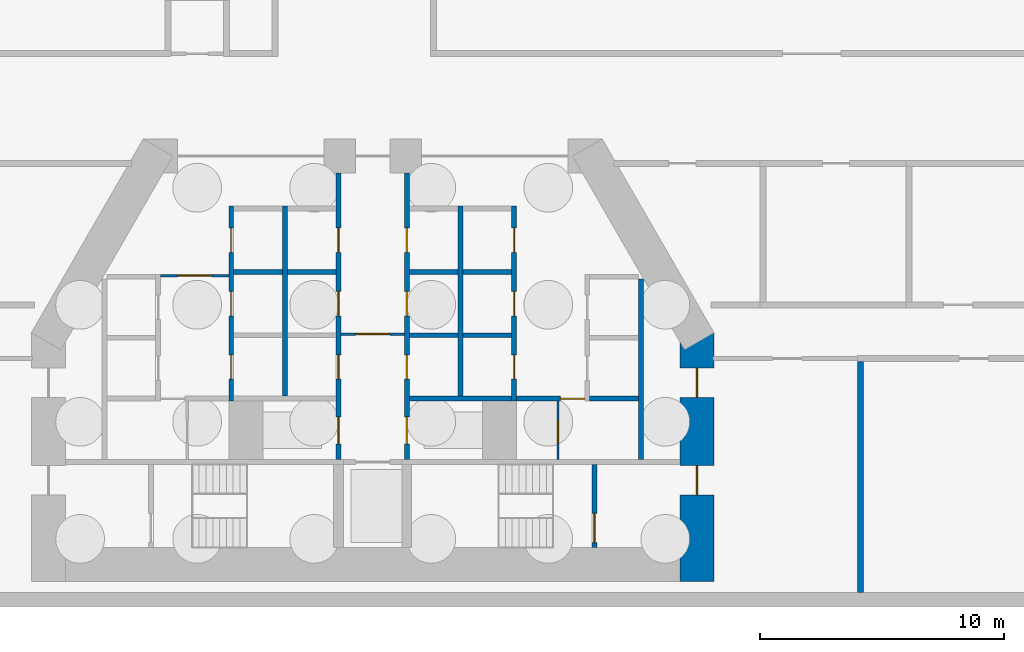
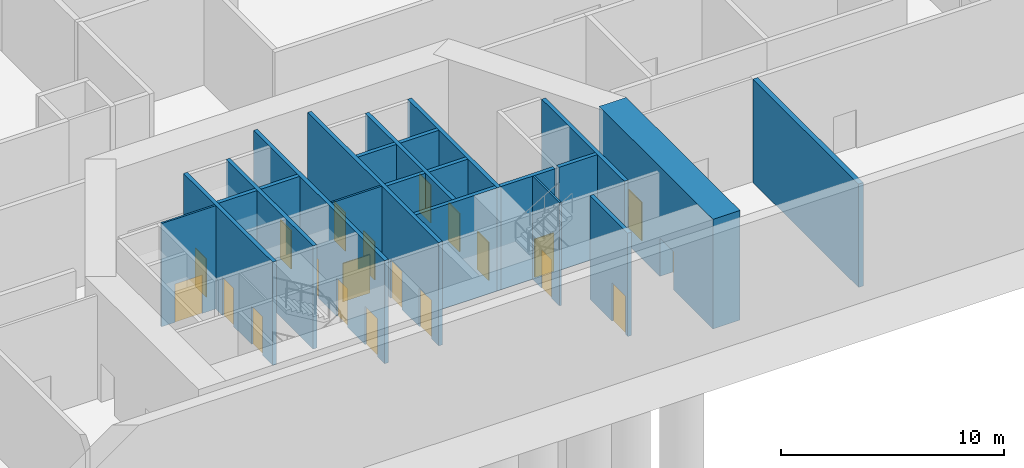
# One storey, part 3 of 8: 22 walls, 21 doors, 21 openings.
"""IFC4 building model written with IfcOpenShell, lengths in metres."""

import ifcopenshell
import ifcopenshell.guid

model = None  # the IFC model being written
_history = None  # IfcOwnerHistory: only IFC2X3 demands one
_inside = {}  # id of a spatial element -> (the spatial element, [elements in it])
_under = {}  # id of a project, library or spatial element -> (it, [spatial elements below it])
_declared = {}  # id of a project -> (the project, [libraries it declares])
_typed = {}  # id of a type object -> (the type object, [elements of that type])
_made_of = {}  # id of a material, layer set ... -> (it, [elements and type objects made of it])


def new_model(schema):
    """Start an empty IFC model of exactly this schema.

    Asked for "IFC4X3", IfcOpenShell would pick the latest addendum, in which some entities
    have other attributes; the version numbers below select the first issue.
    IFC2X3 requires an IfcOwnerHistory on every rooted entity: one is made here for all.
    """
    global model, _history
    if schema == "IFC4X3":
        model = ifcopenshell.file(schema_version=(4, 3, 0, 0))
    else:
        model = ifcopenshell.file(schema=schema)
    _inside.clear()
    _under.clear()
    _declared.clear()
    _typed.clear()
    _made_of.clear()
    _history = None
    if model.schema == "IFC2X3":
        org = make("IfcOrganization", Name="unknown")
        user = make(
            "IfcPersonAndOrganization",
            ThePerson=make("IfcPerson", FamilyName="unknown"),
            TheOrganization=org,
        )
        app = make(
            "IfcApplication",
            ApplicationDeveloper=org,
            Version="unknown",
            ApplicationFullName="unknown",
            ApplicationIdentifier="unknown",
        )
        _history = make(
            "IfcOwnerHistory",
            OwningUser=user,
            OwningApplication=app,
            ChangeAction="ADDED",
            CreationDate=0,
        )
    return model


def make(cls, **values):
    """One entity of the class cls with the attributes given. An attribute that is None is left unset."""
    return model.create_entity(
        cls, **{name: value for name, value in values.items() if value is not None}
    )


def rooted(cls, **values):
    """An entity with a GlobalId (a new one), such as an element, a storey or a relation."""
    return make(cls, GlobalId=ifcopenshell.guid.new(), OwnerHistory=_history, **values)


def si_unit(unit_type, name, prefix=None):
    """IfcSIUnit, for example si_unit("LENGTHUNIT", "METRE", prefix="MILLI")."""
    return make("IfcSIUnit", UnitType=unit_type, Prefix=prefix, Name=name)


def assignment(units):
    """IfcUnitAssignment: the units of a project."""
    return None if units is None else make("IfcUnitAssignment", Units=units)


def point(xyz):
    """IfcCartesianPoint."""
    return None if xyz is None else make("IfcCartesianPoint", Coordinates=xyz)


def direction(xyz):
    """IfcDirection."""
    return None if xyz is None else make("IfcDirection", DirectionRatios=xyz)


def frame(location, z_axis=None, x_axis=None):
    """IfcAxis2Placement3D, a coordinate frame: its origin and axes. An axis left out is left unset."""
    return make(
        "IfcAxis2Placement3D",
        Location=point(location),
        Axis=direction(z_axis),
        RefDirection=direction(x_axis),
    )


def frame_2d(location, x_axis=None):
    """IfcAxis2Placement2D, a coordinate frame in the plane: its origin and x axis."""
    return make(
        "IfcAxis2Placement2D", Location=point(location), RefDirection=direction(x_axis)
    )


def origin():
    """The frame at (0, 0, 0) with its axes left unset."""
    return frame((0.0, 0.0, 0.0))


def place(relative_to, where):
    """IfcLocalPlacement: puts the frame where relative to a parent placement (None: the world)."""
    return make(
        "IfcLocalPlacement", PlacementRelTo=relative_to, RelativePlacement=where
    )


def context(
    kind, dimensions, precision=None, world=None, true_north=None, identifier=None
):
    """IfcGeometricRepresentationContext, for example the 3D "Model" context."""
    return make(
        "IfcGeometricRepresentationContext",
        ContextIdentifier=identifier,
        ContextType=kind,
        CoordinateSpaceDimension=dimensions,
        Precision=precision,
        WorldCoordinateSystem=world,
        TrueNorth=true_north,
    )


def subcontext(parent, identifier, kind, view, scale=None):
    """IfcGeometricRepresentationSubContext, for example "Body" below "Model"."""
    return make(
        "IfcGeometricRepresentationSubContext",
        ContextIdentifier=identifier,
        ContextType=kind,
        ParentContext=parent,
        TargetScale=scale,
        TargetView=view,
    )


def project(units=None, contexts=None):
    """IfcProject with its units and contexts."""
    return rooted(
        "IfcProject",
        Name="project",
        RepresentationContexts=contexts,
        UnitsInContext=assignment(units),
    )


def spatial(cls, under=None, at=None, **own):
    """A site, building, storey or space (cls), placed at a placement, below another one or the project."""
    s = rooted(cls, ObjectPlacement=at, **own)
    if under is not None:
        _under.setdefault(under.id(), (under, []))[1].append(s)
    return s


def profile(cls, at=None, kind="AREA", **sizes):
    """A parametric profile (cls). Its sizes go by their IFC names, for example OverallWidth=200.0."""
    return make(cls, ProfileType=kind, Position=at, **sizes)


def rectangle(**sizes):
    """IfcRectangleProfileDef."""
    return profile("IfcRectangleProfileDef", **sizes)


def extrude(swept, where, along, depth):
    """IfcExtrudedAreaSolid: the profile swept, set in the frame where, extruded along a direction by depth."""
    return make(
        "IfcExtrudedAreaSolid",
        SweptArea=swept,
        Position=where,
        ExtrudedDirection=direction(along),
        Depth=depth,
    )


def shape(context_of_items, identifier, shape_type, items):
    """IfcShapeRepresentation: the items that make up one representation, for example the "Body"."""
    return make(
        "IfcShapeRepresentation",
        ContextOfItems=context_of_items,
        RepresentationIdentifier=identifier,
        RepresentationType=shape_type,
        Items=items,
    )


def material(Name=None, Category=None):
    """IfcMaterial."""
    return make("IfcMaterial", Name=Name, Category=Category)


def layer(
    of_material, thickness, ventilated=None, Name=None, Category=None, Priority=None
):
    """IfcMaterialLayer: one layer of a wall or slab, of a material (None: an air gap)."""
    return make(
        "IfcMaterialLayer",
        Material=of_material,
        LayerThickness=thickness,
        IsVentilated=ventilated,
        Name=Name,
        Category=Category,
        Priority=Priority,
    )


def layer_set(layers, Name=None):
    """IfcMaterialLayerSet."""
    return make("IfcMaterialLayerSet", MaterialLayers=layers, LayerSetName=Name)


def made_of(thing, what):
    """Note that an element or type object is made of a material, layer set ...; save() writes the relation."""
    if what is not None:
        _made_of.setdefault(what.id(), (what, []))[1].append(thing)
    return thing


def type_object(cls, material=None, **own):
    """A type object (cls), such as IfcWallType, which elements share."""
    return made_of(rooted(cls, **own), material)


def element(
    cls,
    number,
    at=None,
    inside=None,
    cuts=None,
    type_object=None,
    material=None,
    context=None,
    identifier="Body",
    shape_type=None,
    held_by="IfcProductDefinitionShape",
    body=None,
    shapes=None,
    **own,
):
    """One element of the class cls, such as IfcWall. Its Tag is "e" and its number.

    at: its placement. inside: the storey or other place that contains it. cuts: it is an
    opening in that element (IfcRelVoidsElement). A single representation is given by context,
    identifier, shape_type and body (its items); several are given by shapes. held_by: the class
    of the entity that holds the representations. save() writes the other relations.
    """
    e = rooted(cls, Tag="e%d" % number, ObjectPlacement=at, **own)
    if body is not None:
        shapes = [shape(context, identifier, shape_type, body)]
    if shapes is not None:
        e.Representation = make(held_by, Representations=shapes)
    if inside is not None:
        _inside.setdefault(inside.id(), (inside, []))[1].append(e)
    if cuts is not None:
        rooted(
            "IfcRelVoidsElement", RelatingBuildingElement=cuts, RelatedOpeningElement=e
        )
    if type_object is not None:
        _typed.setdefault(type_object.id(), (type_object, []))[1].append(e)
    return made_of(e, material)


def fill(opening, filler):
    """IfcRelFillsElement: the door or window that sits in an opening."""
    return rooted(
        "IfcRelFillsElement",
        RelatingOpeningElement=opening,
        RelatedBuildingElement=filler,
    )


def aggregate(whole, parts):
    """IfcRelAggregates: a whole, such as a stair, and the parts it consists of."""
    return rooted("IfcRelAggregates", RelatingObject=whole, RelatedObjects=parts)


def save(model, path):
    """Write the relations noted so far, then the file.

    IfcRelAggregates (storeys below a building ...), IfcRelContainedInSpatialStructure (elements
    in a storey), IfcRelDefinesByType, IfcRelAssociatesMaterial and IfcRelDeclares: one each for
    every whole, place, type object, material and project.
    """
    for whole, parts in _under.values():
        aggregate(whole, parts)
    for where, things in _inside.values():
        rooted(
            "IfcRelContainedInSpatialStructure",
            RelatedElements=things,
            RelatingStructure=where,
        )
    for kind, things in _typed.values():
        rooted("IfcRelDefinesByType", RelatedObjects=things, RelatingType=kind)
    for what, things in _made_of.values():
        rooted("IfcRelAssociatesMaterial", RelatedObjects=things, RelatingMaterial=what)
    for by, libraries in _declared.values():
        rooted("IfcRelDeclares", RelatingContext=by, RelatedDefinitions=libraries)
    model.write(path)


model = new_model("IFC4")

# Units and contexts
model_context = context("Model", 3, precision=1e-05, world=origin(), true_north=direction((0.0, 1.0)))
body_context = subcontext(model_context, "Body", "Model", "MODEL_VIEW")
ifc_project = project(units=[si_unit("LENGTHUNIT", "METRE"), si_unit("AREAUNIT", "SQUARE_METRE"), si_unit("VOLUMEUNIT", "CUBIC_METRE"), si_unit("PLANEANGLEUNIT", "RADIAN"), si_unit("MASSUNIT", "GRAM", prefix="KILO")], contexts=[model_context])

# Site, building, storey
site_placement = place(None, origin())
site = spatial("IfcSite", under=ifc_project, at=site_placement, CompositionType="ELEMENT")
building_placement = place(site_placement, origin())
building = spatial("IfcBuilding", under=site, at=building_placement, Name="Fogline Exchange Tower", CompositionType="ELEMENT")
storey_placement = place(building_placement, frame((0.0, 0.0, -14.0)))
storey = spatial("IfcBuildingStorey", under=building, at=storey_placement, Name="B2", CompositionType="ELEMENT", Elevation=-14.0)

# Wall, opening, door
ifc_material_1 = material(Name="Blockwork partition", Category="masonry")
ifc_layer_1 = layer(ifc_material_1, 0.10009765625)
ifc_layer_set_1 = layer_set([ifc_layer_1], Name="CW10")
wall_type_1 = type_object("IfcWallType", Name="CW10", PredefinedType="PARTITIONING", material=ifc_layer_set_1)
wall_1_placement = place(storey_placement, frame((-8.699951171875, 13.39990234375, 0.0), z_axis=(0.0, 0.0, 1.0), x_axis=(1.0, 0.0, 0.0)))
wall_1 = element("IfcWall", 1, at=wall_1_placement, inside=storey, type_object=wall_type_1, Name="Lift lobby partition", PredefinedType="PARTITIONING", context=body_context, shape_type="SweptSolid", body=[
    extrude(rectangle(XDim=2.800048828125, YDim=0.10009765625, at=frame_2d((1.39990234375, 0.0))), origin(), (0.0, 0.0, 1.0), 5.64990234375),
])
opening_1_placement = place(wall_1_placement, frame((0.699951171875, 0.0, 0.0)))
opening_1 = element("IfcOpeningElement", 2, at=opening_1_placement, cuts=wall_1, Name="Opening B2-C017", PredefinedType="OPENING", context=body_context, shape_type="SweptSolid", body=[
    extrude(rectangle(XDim=1.39990234375, YDim=2.10009765625, at=frame_2d((0.699951171875, 1.050048828125))), frame((0.0, 0.06005859375, 0.0), z_axis=(0.0, -1.0, 0.0), x_axis=(1.0, 0.0, 0.0)), (0.0, 0.0, 1.0), 0.1201171875),
])
ifc_material_2 = material(Name="Steel and timber fire door", Category="steel")
door_type_1 = type_object("IfcDoorType", Name="D-LB1", OperationType="DOUBLE_DOOR_SINGLE_SWING", PredefinedType="DOOR", material=ifc_material_2)
door_1_placement = place(opening_1_placement, frame((1.39990234375, 0.0, 0.0), z_axis=(0.0, 0.0, 1.0), x_axis=(-1.0, 0.0, 0.0)))
door_1 = element("IfcDoor", 3, at=door_1_placement, inside=storey, type_object=door_type_1, Name="Door to lift lobby", OperationType="DOUBLE_DOOR_SINGLE_SWING", OverallHeight=2.10009765625, OverallWidth=1.39990234375, PredefinedType="DOOR", context=body_context, shape_type="SweptSolid", body=[
    extrude(rectangle(XDim=1.39990234375, YDim=2.10009765625, at=frame_2d((0.699951171875, 1.050048828125))), frame((0.0, 0.02490234375, 0.0), z_axis=(0.0, -1.0, 0.0), x_axis=(1.0, 0.0, 0.0)), (0.0, 0.0, 1.0), 0.050048828125),
])
fill(opening_1, door_1)

wall_2_placement = place(storey_placement, frame((7.60009765625, 5.85009765625, 0.0), z_axis=(0.0, 0.0, 1.0), x_axis=(0.0, 1.0, 0.0)))
wall_2 = element("IfcWall", 4, at=wall_2_placement, inside=storey, type_object=wall_type_1, Name="WC partition", PredefinedType="PARTITIONING", context=body_context, shape_type="SweptSolid", body=[
    extrude(rectangle(XDim=2.39990234375, YDim=0.10009765625, at=frame_2d((1.199951171875, 0.0))), origin(), (0.0, 0.0, 1.0), 5.64990234375),
])
opening_2_placement = place(wall_2_placement, frame((0.699951171875, 0.0, 0.0)))
opening_2 = element("IfcOpeningElement", 5, at=opening_2_placement, cuts=wall_2, Name="Opening B2-C024", PredefinedType="OPENING", context=body_context, shape_type="SweptSolid", body=[
    extrude(rectangle(XDim=0.89990234375, YDim=2.10009765625, at=frame_2d((0.449951171875, 1.050048828125))), frame((0.0, 0.06005859375, 0.0), z_axis=(0.0, -1.0, 0.0), x_axis=(1.0, 0.0, 0.0)), (0.0, 0.0, 1.0), 0.1201171875),
])
door_type_2 = type_object("IfcDoorType", Name="D-CS1", OperationType="SINGLE_SWING_RIGHT", PredefinedType="DOOR", material=ifc_material_2)
door_2_placement = place(opening_2_placement, origin())
door_2 = element("IfcDoor", 6, at=door_2_placement, inside=storey, type_object=door_type_2, Name="Door to Cleaner's Store", OperationType="SINGLE_SWING_LEFT", OverallHeight=2.10009765625, OverallWidth=0.89990234375, PredefinedType="DOOR", context=body_context, shape_type="SweptSolid", body=[
    extrude(rectangle(XDim=0.89990234375, YDim=2.10009765625, at=frame_2d((0.449951171875, 1.050048828125))), frame((0.0, 0.02490234375, 0.0), z_axis=(0.0, -1.0, 0.0), x_axis=(1.0, 0.0, 0.0)), (0.0, 0.0, 1.0), 0.050048828125),
])
fill(opening_2, door_2)

wall_3_placement = place(storey_placement, frame((-1.300048828125, 11.0, 0.0), z_axis=(0.0, 0.0, 1.0), x_axis=(1.0, 0.0, 0.0)))
wall_3 = element("IfcWall", 7, at=wall_3_placement, inside=storey, type_object=wall_type_1, Name="Lift lobby partition", PredefinedType="PARTITIONING", context=body_context, shape_type="SweptSolid", body=[
    extrude(rectangle(XDim=2.60009765625, YDim=0.10009765625, at=frame_2d((1.300048828125, 0.0))), origin(), (0.0, 0.0, 1.0), 5.64990234375),
])
opening_3_placement = place(wall_3_placement, frame((0.60009765625, 0.0, 0.0)))
opening_3 = element("IfcOpeningElement", 8, at=opening_3_placement, cuts=wall_3, Name="Opening B2-C028", PredefinedType="OPENING", context=body_context, shape_type="SweptSolid", body=[
    extrude(rectangle(XDim=1.39990234375, YDim=2.10009765625, at=frame_2d((0.699951171875, 1.050048828125))), frame((0.0, 0.06005859375, 0.0), z_axis=(0.0, -1.0, 0.0), x_axis=(1.0, 0.0, 0.0)), (0.0, 0.0, 1.0), 0.1201171875),
])
door_3_placement = place(opening_3_placement, frame((1.39990234375, 0.0, 0.0), z_axis=(0.0, 0.0, 1.0), x_axis=(-1.0, 0.0, 0.0)))
door_3 = element("IfcDoor", 9, at=door_3_placement, inside=storey, type_object=door_type_1, Name="Door to firefighting lift lobby", OperationType="DOUBLE_DOOR_SINGLE_SWING", OverallHeight=2.10009765625, OverallWidth=1.39990234375, PredefinedType="DOOR", context=body_context, shape_type="SweptSolid", body=[
    extrude(rectangle(XDim=1.39990234375, YDim=2.10009765625, at=frame_2d((0.699951171875, 1.050048828125))), frame((0.0, 0.02490234375, 0.0), z_axis=(0.0, -1.0, 0.0), x_axis=(1.0, 0.0, 0.0)), (0.0, 0.0, 1.0), 0.050048828125),
])
fill(opening_3, door_3)

# Wall
ifc_material_3 = material(Name="Concrete C40", Category="concrete")
ifc_layer_2 = layer(ifc_material_3, 0.199951171875)
ifc_layer_set_2 = layer_set([ifc_layer_2], Name="CW20")
wall_type_2 = type_object("IfcWallType", Name="CW20", PredefinedType="SOLIDWALL", material=ifc_layer_set_2)
wall_4_placement = place(storey_placement, frame((11.0, 5.85009765625, 0.0), z_axis=(0.0, 0.0, 1.0), x_axis=(0.0, 1.0, 0.0)))
element("IfcWall", 10, at=wall_4_placement, inside=storey, type_object=wall_type_2, Name="Service room wall", PredefinedType="SOLIDWALL", context=body_context, shape_type="SweptSolid", body=[
    extrude(rectangle(XDim=7.39990234375, YDim=0.199951171875, at=frame_2d((3.699951171875, 0.0))), origin(), (0.0, 0.0, 1.0), 5.64990234375),
])

# Wall, opening, door
wall_5_placement = place(storey_placement, frame((5.89990234375, 8.35009765625, 0.0), z_axis=(0.0, 0.0, 1.0), x_axis=(1.0, 0.0, 0.0)))
wall_5 = element("IfcWall", 11, at=wall_5_placement, inside=storey, type_object=wall_type_2, Name="WC wall", PredefinedType="SOLIDWALL", context=body_context, shape_type="SweptSolid", body=[
    extrude(rectangle(XDim=2.800048828125, YDim=0.199951171875, at=frame_2d((1.39990234375, 0.0))), origin(), (0.0, 0.0, 1.0), 5.64990234375),
])
opening_4_placement = place(wall_5_placement, frame((1.800048828125, 0.0, 0.0)))
opening_4 = element("IfcOpeningElement", 12, at=opening_4_placement, cuts=wall_5, Name="Opening B2-C023", PredefinedType="OPENING", context=body_context, shape_type="SweptSolid", body=[
    extrude(rectangle(XDim=1.0, YDim=2.10009765625, at=frame_2d((0.5, 1.050048828125))), frame((0.0, 0.10986328125, 0.0), z_axis=(0.0, -1.0, 0.0), x_axis=(1.0, 0.0, 0.0)), (0.0, 0.0, 1.0), 0.219970703125),
])
door_type_3 = type_object("IfcDoorType", Name="D-WC1", OperationType="SINGLE_SWING_LEFT", PredefinedType="DOOR", material=ifc_material_2)
door_4_placement = place(opening_4_placement, frame((1.0, 0.0, 0.0), z_axis=(0.0, 0.0, 1.0), x_axis=(-1.0, 0.0, 0.0)))
door_4 = element("IfcDoor", 13, at=door_4_placement, inside=storey, type_object=door_type_3, Name="Door to Women's WC", OperationType="SINGLE_SWING_LEFT", OverallHeight=2.10009765625, OverallWidth=1.0, PredefinedType="DOOR", context=body_context, shape_type="SweptSolid", body=[
    extrude(rectangle(XDim=1.0, YDim=2.10009765625, at=frame_2d((0.5, 1.050048828125))), frame((0.0, 0.02490234375, 0.0), z_axis=(0.0, -1.0, 0.0), x_axis=(1.0, 0.0, 0.0)), (0.0, 0.0, 1.0), 0.050048828125),
])
fill(opening_4, door_4)

ifc_layer_3 = layer(ifc_material_3, 0.199951171875)
ifc_layer_set_3 = layer_set([ifc_layer_3], Name="CW20R")
wall_type_3 = type_object("IfcWallType", Name="CW20R", PredefinedType="SOLIDWALL", material=ifc_layer_set_3)
wall_6_placement = place(storey_placement, frame((9.10009765625, 2.25, 0.0), z_axis=(0.0, 0.0, 1.0), x_axis=(0.0, 1.0, 0.0)))
wall_6 = element("IfcWall", 14, at=wall_6_placement, inside=storey, type_object=wall_type_3, Name="Stair enclosure wall", PredefinedType="SOLIDWALL", context=body_context, shape_type="SweptSolid", body=[
    extrude(rectangle(XDim=3.39990234375, YDim=0.199951171875, at=frame_2d((1.699951171875, 0.0))), origin(), (0.0, 0.0, 1.0), 5.64990234375),
])
opening_5_placement = place(wall_6_placement, frame((0.199951171875, 0.0, 0.0)))
opening_5 = element("IfcOpeningElement", 15, at=opening_5_placement, cuts=wall_6, Name="Opening B2-C026", PredefinedType="OPENING", context=body_context, shape_type="SweptSolid", body=[
    extrude(rectangle(XDim=1.199951171875, YDim=2.10009765625, at=frame_2d((0.60009765625, 1.050048828125))), frame((0.0, 0.10986328125, 0.0), z_axis=(0.0, -1.0, 0.0), x_axis=(1.0, 0.0, 0.0)), (0.0, 0.0, 1.0), 0.219970703125),
])
door_type_4 = type_object("IfcDoorType", Name="D-ST1", OperationType="SINGLE_SWING_LEFT", PredefinedType="DOOR", material=ifc_material_2)
door_5_placement = place(opening_5_placement, origin())
door_5 = element("IfcDoor", 16, at=door_5_placement, inside=storey, type_object=door_type_4, Name="Stair door ST2", OperationType="SINGLE_SWING_LEFT", OverallHeight=2.10009765625, OverallWidth=1.199951171875, PredefinedType="DOOR", context=body_context, shape_type="SweptSolid", body=[
    extrude(rectangle(XDim=1.199951171875, YDim=2.10009765625, at=frame_2d((0.60009765625, 1.050048828125))), frame((0.0, 0.02490234375, 0.0), z_axis=(0.0, -1.0, 0.0), x_axis=(1.0, 0.0, 0.0)), (0.0, 0.0, 1.0), 0.050048828125),
])
fill(opening_5, door_5)

# Wall, openings, doors
ifc_layer_4 = layer(ifc_material_3, 0.199951171875)
ifc_layer_set_4 = layer_set([ifc_layer_4], Name="CW20S")
wall_type_4 = type_object("IfcWallType", Name="CW20S", PredefinedType="SOLIDWALL", material=ifc_layer_set_4)
wall_7_placement = place(storey_placement, frame((-5.800048828125, 8.25, 0.0), z_axis=(0.0, 0.0, 1.0), x_axis=(0.0, 1.0, 0.0)))
wall_7 = element("IfcWall", 17, at=wall_7_placement, inside=storey, type_object=wall_type_4, Name="Lift shaft wall", PredefinedType="SOLIDWALL", context=body_context, shape_type="SweptSolid", body=[
    extrude(rectangle(XDim=8.0, YDim=0.199951171875, at=frame_2d((4.0, 0.0))), origin(), (0.0, 0.0, 1.0), 5.64990234375),
])
opening_6_placement = place(wall_7_placement, frame((0.89990234375, 0.0, 0.0)))
opening_6 = element("IfcOpeningElement", 18, at=opening_6_placement, cuts=wall_7, Name="Opening B2-C003", PredefinedType="OPENING", context=body_context, shape_type="SweptSolid", body=[
    extrude(rectangle(XDim=1.0, YDim=2.10009765625, at=frame_2d((0.5, 1.050048828125))), frame((0.0, 0.10986328125, 0.0), z_axis=(0.0, -1.0, 0.0), x_axis=(1.0, 0.0, 0.0)), (0.0, 0.0, 1.0), 0.219970703125),
])
opening_7_placement = place(wall_7_placement, frame((3.5, 0.0, 0.0)))
opening_7 = element("IfcOpeningElement", 19, at=opening_7_placement, cuts=wall_7, Name="Opening B2-C004", PredefinedType="OPENING", context=body_context, shape_type="SweptSolid", body=[
    extrude(rectangle(XDim=1.0, YDim=2.10009765625, at=frame_2d((0.5, 1.050048828125))), frame((0.0, 0.10986328125, 0.0), z_axis=(0.0, -1.0, 0.0), x_axis=(1.0, 0.0, 0.0)), (0.0, 0.0, 1.0), 0.219970703125),
])
opening_8_placement = place(wall_7_placement, frame((6.10009765625, 0.0, 0.0)))
opening_8 = element("IfcOpeningElement", 20, at=opening_8_placement, cuts=wall_7, Name="Opening B2-C005", PredefinedType="OPENING", context=body_context, shape_type="SweptSolid", body=[
    extrude(rectangle(XDim=1.0, YDim=2.10009765625, at=frame_2d((0.5, 1.050048828125))), frame((0.0, 0.10986328125, 0.0), z_axis=(0.0, -1.0, 0.0), x_axis=(1.0, 0.0, 0.0)), (0.0, 0.0, 1.0), 0.219970703125),
])
door_type_5 = type_object("IfcDoorType", Name="D-RM1", OperationType="SINGLE_SWING_LEFT", PredefinedType="DOOR", material=ifc_material_2)
door_6_placement = place(opening_6_placement, frame((1.0, 0.0, 0.0), z_axis=(0.0, 0.0, 1.0), x_axis=(-1.0, 0.0, 0.0)))
door_6 = element("IfcDoor", 21, at=door_6_placement, inside=storey, type_object=door_type_5, Name="Door to Cable Store", OperationType="SINGLE_SWING_LEFT", OverallHeight=2.10009765625, OverallWidth=1.0, PredefinedType="DOOR", context=body_context, shape_type="SweptSolid", body=[
    extrude(rectangle(XDim=1.0, YDim=2.10009765625, at=frame_2d((0.5, 1.050048828125))), frame((0.0, 0.02490234375, 0.0), z_axis=(0.0, -1.0, 0.0), x_axis=(1.0, 0.0, 0.0)), (0.0, 0.0, 1.0), 0.050048828125),
])
fill(opening_6, door_6)
door_7_placement = place(opening_7_placement, frame((1.0, 0.0, 0.0), z_axis=(0.0, 0.0, 1.0), x_axis=(-1.0, 0.0, 0.0)))
door_7 = element("IfcDoor", 22, at=door_7_placement, inside=storey, type_object=door_type_5, Name="Door to Server Room", OperationType="SINGLE_SWING_RIGHT", OverallHeight=2.10009765625, OverallWidth=1.0, PredefinedType="DOOR", context=body_context, shape_type="SweptSolid", body=[
    extrude(rectangle(XDim=1.0, YDim=2.10009765625, at=frame_2d((0.5, 1.050048828125))), frame((0.0, 0.02490234375, 0.0), z_axis=(0.0, -1.0, 0.0), x_axis=(1.0, 0.0, 0.0)), (0.0, 0.0, 1.0), 0.050048828125),
])
fill(opening_7, door_7)
door_8_placement = place(opening_8_placement, frame((1.0, 0.0, 0.0), z_axis=(0.0, 0.0, 1.0), x_axis=(-1.0, 0.0, 0.0)))
door_8 = element("IfcDoor", 23, at=door_8_placement, inside=storey, type_object=door_type_5, Name="Door to Archive Store", OperationType="SINGLE_SWING_RIGHT", OverallHeight=2.10009765625, OverallWidth=1.0, PredefinedType="DOOR", context=body_context, shape_type="SweptSolid", body=[
    extrude(rectangle(XDim=1.0, YDim=2.10009765625, at=frame_2d((0.5, 1.050048828125))), frame((0.0, 0.02490234375, 0.0), z_axis=(0.0, -1.0, 0.0), x_axis=(1.0, 0.0, 0.0)), (0.0, 0.0, 1.0), 0.050048828125),
])
fill(opening_8, door_8)

wall_8_placement = place(storey_placement, frame((5.800048828125, 8.25, 0.0), z_axis=(0.0, 0.0, 1.0), x_axis=(0.0, 1.0, 0.0)))
wall_8 = element("IfcWall", 24, at=wall_8_placement, inside=storey, type_object=wall_type_4, Name="Lift shaft wall", PredefinedType="SOLIDWALL", context=body_context, shape_type="SweptSolid", body=[
    extrude(rectangle(XDim=8.0, YDim=0.199951171875, at=frame_2d((4.0, 0.0))), origin(), (0.0, 0.0, 1.0), 5.64990234375),
])
opening_9_placement = place(wall_8_placement, frame((0.89990234375, 0.0, 0.0)))
opening_9 = element("IfcOpeningElement", 25, at=opening_9_placement, cuts=wall_8, Name="Opening B2-C011", PredefinedType="OPENING", context=body_context, shape_type="SweptSolid", body=[
    extrude(rectangle(XDim=1.0, YDim=2.10009765625, at=frame_2d((0.5, 1.050048828125))), frame((0.0, 0.10986328125, 0.0), z_axis=(0.0, -1.0, 0.0), x_axis=(1.0, 0.0, 0.0)), (0.0, 0.0, 1.0), 0.219970703125),
])
opening_10_placement = place(wall_8_placement, frame((3.5, 0.0, 0.0)))
opening_10 = element("IfcOpeningElement", 26, at=opening_10_placement, cuts=wall_8, Name="Opening B2-C012", PredefinedType="OPENING", context=body_context, shape_type="SweptSolid", body=[
    extrude(rectangle(XDim=1.0, YDim=2.10009765625, at=frame_2d((0.5, 1.050048828125))), frame((0.0, 0.10986328125, 0.0), z_axis=(0.0, -1.0, 0.0), x_axis=(1.0, 0.0, 0.0)), (0.0, 0.0, 1.0), 0.219970703125),
])
opening_11_placement = place(wall_8_placement, frame((6.10009765625, 0.0, 0.0)))
opening_11 = element("IfcOpeningElement", 27, at=opening_11_placement, cuts=wall_8, Name="Opening B2-C013", PredefinedType="OPENING", context=body_context, shape_type="SweptSolid", body=[
    extrude(rectangle(XDim=1.0, YDim=2.10009765625, at=frame_2d((0.5, 1.050048828125))), frame((0.0, 0.10986328125, 0.0), z_axis=(0.0, -1.0, 0.0), x_axis=(1.0, 0.0, 0.0)), (0.0, 0.0, 1.0), 0.219970703125),
])
door_9_placement = place(opening_9_placement, origin())
door_9 = element("IfcDoor", 28, at=door_9_placement, inside=storey, type_object=door_type_5, Name="Door to Library Store", OperationType="SINGLE_SWING_RIGHT", OverallHeight=2.10009765625, OverallWidth=1.0, PredefinedType="DOOR", context=body_context, shape_type="SweptSolid", body=[
    extrude(rectangle(XDim=1.0, YDim=2.10009765625, at=frame_2d((0.5, 1.050048828125))), frame((0.0, 0.02490234375, 0.0), z_axis=(0.0, -1.0, 0.0), x_axis=(1.0, 0.0, 0.0)), (0.0, 0.0, 1.0), 0.050048828125),
])
fill(opening_9, door_9)
door_10_placement = place(opening_10_placement, origin())
door_10 = element("IfcDoor", 29, at=door_10_placement, inside=storey, type_object=door_type_5, Name="Door to Stationery Store", OperationType="SINGLE_SWING_LEFT", OverallHeight=2.10009765625, OverallWidth=1.0, PredefinedType="DOOR", context=body_context, shape_type="SweptSolid", body=[
    extrude(rectangle(XDim=1.0, YDim=2.10009765625, at=frame_2d((0.5, 1.050048828125))), frame((0.0, 0.02490234375, 0.0), z_axis=(0.0, -1.0, 0.0), x_axis=(1.0, 0.0, 0.0)), (0.0, 0.0, 1.0), 0.050048828125),
])
fill(opening_10, door_10)
door_11_placement = place(opening_11_placement, origin())
door_11 = element("IfcDoor", 30, at=door_11_placement, inside=storey, type_object=door_type_5, Name="Door to Records Store", OperationType="SINGLE_SWING_LEFT", OverallHeight=2.10009765625, OverallWidth=1.0, PredefinedType="DOOR", context=body_context, shape_type="SweptSolid", body=[
    extrude(rectangle(XDim=1.0, YDim=2.10009765625, at=frame_2d((0.5, 1.050048828125))), frame((0.0, 0.02490234375, 0.0), z_axis=(0.0, -1.0, 0.0), x_axis=(1.0, 0.0, 0.0)), (0.0, 0.0, 1.0), 0.050048828125),
])
fill(opening_11, door_11)

# Walls
for number, where, z_axis, x_axis, name in (
    (31, (-3.60009765625, 8.449951171875, 0.0), (0.0, 0.0, 1.0), (0.0, 1.0, 0.0), "Lift shaft wall"),
    (32, (3.60009765625, 8.449951171875, 0.0), (0.0, 0.0, 1.0), (0.0, 1.0, 0.0), "Lift shaft wall"),
):
    element("IfcWall", number, at=place(storey_placement, frame(where, z_axis=z_axis, x_axis=x_axis)), inside=storey, type_object=wall_type_4, Name=name, PredefinedType="SOLIDWALL", context=body_context, shape_type="SweptSolid", body=[
        extrude(rectangle(XDim=7.800048828125, YDim=0.199951171875, at=frame_2d((3.89990234375, 0.0))), origin(), (0.0, 0.0, 1.0), 5.64990234375),
    ])

# Wall, openings, doors
wall_9_placement = place(storey_placement, frame((-1.39990234375, 5.85009765625, 0.0), z_axis=(0.0, 0.0, 1.0), x_axis=(0.0, 1.0, 0.0)))
wall_9 = element("IfcWall", 33, at=wall_9_placement, inside=storey, type_object=wall_type_4, Name="Lift lobby wall", PredefinedType="SOLIDWALL", context=body_context, shape_type="SweptSolid", body=[
    extrude(rectangle(XDim=11.75, YDim=0.199951171875, at=frame_2d((5.875, 0.0))), origin(), (0.0, 0.0, 1.0), 5.64990234375),
])
opening_12_placement = place(wall_9_placement, frame((0.64990234375, 0.0, 0.0)))
opening_12 = element("IfcOpeningElement", 34, at=opening_12_placement, cuts=wall_9, Name="Opening B2-LD01", PredefinedType="OPENING", context=body_context, shape_type="SweptSolid", body=[
    extrude(rectangle(XDim=1.10009765625, YDim=2.10009765625, at=frame_2d((0.550048828125, 1.050048828125))), frame((0.0, 0.10986328125, 0.0), z_axis=(0.0, -1.0, 0.0), x_axis=(1.0, 0.0, 0.0)), (0.0, 0.0, 1.0), 0.219970703125),
])
opening_13_placement = place(wall_9_placement, frame((3.300048828125, 0.0, 0.0)))
opening_13 = element("IfcOpeningElement", 35, at=opening_13_placement, cuts=wall_9, Name="Opening B2-C006", PredefinedType="OPENING", context=body_context, shape_type="SweptSolid", body=[
    extrude(rectangle(XDim=1.0, YDim=2.10009765625, at=frame_2d((0.5, 1.050048828125))), frame((0.0, 0.10986328125, 0.0), z_axis=(0.0, -1.0, 0.0), x_axis=(1.0, 0.0, 0.0)), (0.0, 0.0, 1.0), 0.219970703125),
])
opening_14_placement = place(wall_9_placement, frame((5.89990234375, 0.0, 0.0)))
opening_14 = element("IfcOpeningElement", 36, at=opening_14_placement, cuts=wall_9, Name="Opening B2-C007", PredefinedType="OPENING", context=body_context, shape_type="SweptSolid", body=[
    extrude(rectangle(XDim=1.0, YDim=2.10009765625, at=frame_2d((0.5, 1.050048828125))), frame((0.0, 0.10986328125, 0.0), z_axis=(0.0, -1.0, 0.0), x_axis=(1.0, 0.0, 0.0)), (0.0, 0.0, 1.0), 0.219970703125),
])
opening_15_placement = place(wall_9_placement, frame((8.5, 0.0, 0.0)))
opening_15 = element("IfcOpeningElement", 37, at=opening_15_placement, cuts=wall_9, Name="Opening B2-C008", PredefinedType="OPENING", context=body_context, shape_type="SweptSolid", body=[
    extrude(rectangle(XDim=1.0, YDim=2.10009765625, at=frame_2d((0.5, 1.050048828125))), frame((0.0, 0.10986328125, 0.0), z_axis=(0.0, -1.0, 0.0), x_axis=(1.0, 0.0, 0.0)), (0.0, 0.0, 1.0), 0.219970703125),
])
door_12_placement = place(opening_13_placement, origin())
door_12 = element("IfcDoor", 38, at=door_12_placement, inside=storey, type_object=door_type_5, Name="Door to Library Store", OperationType="SINGLE_SWING_LEFT", OverallHeight=2.10009765625, OverallWidth=1.0, PredefinedType="DOOR", context=body_context, shape_type="SweptSolid", body=[
    extrude(rectangle(XDim=1.0, YDim=2.10009765625, at=frame_2d((0.5, 1.050048828125))), frame((0.0, 0.02490234375, 0.0), z_axis=(0.0, -1.0, 0.0), x_axis=(1.0, 0.0, 0.0)), (0.0, 0.0, 1.0), 0.050048828125),
])
fill(opening_13, door_12)
door_13_placement = place(opening_14_placement, origin())
door_13 = element("IfcDoor", 39, at=door_13_placement, inside=storey, type_object=door_type_5, Name="Door to Stationery Store", OperationType="SINGLE_SWING_LEFT", OverallHeight=2.10009765625, OverallWidth=1.0, PredefinedType="DOOR", context=body_context, shape_type="SweptSolid", body=[
    extrude(rectangle(XDim=1.0, YDim=2.10009765625, at=frame_2d((0.5, 1.050048828125))), frame((0.0, 0.02490234375, 0.0), z_axis=(0.0, -1.0, 0.0), x_axis=(1.0, 0.0, 0.0)), (0.0, 0.0, 1.0), 0.050048828125),
])
fill(opening_14, door_13)
door_14_placement = place(opening_15_placement, origin())
door_14 = element("IfcDoor", 40, at=door_14_placement, inside=storey, type_object=door_type_5, Name="Door to Records Store", OperationType="SINGLE_SWING_LEFT", OverallHeight=2.10009765625, OverallWidth=1.0, PredefinedType="DOOR", context=body_context, shape_type="SweptSolid", body=[
    extrude(rectangle(XDim=1.0, YDim=2.10009765625, at=frame_2d((0.5, 1.050048828125))), frame((0.0, 0.02490234375, 0.0), z_axis=(0.0, -1.0, 0.0), x_axis=(1.0, 0.0, 0.0)), (0.0, 0.0, 1.0), 0.050048828125),
])
fill(opening_15, door_14)
door_type_6 = type_object("IfcDoorType", Name="LD2", OperationType="SLIDING_TO_RIGHT", PredefinedType="DOOR", material=ifc_material_2)
door_15_placement = place(opening_12_placement, origin())
door_15 = element("IfcDoor", 41, at=door_15_placement, inside=storey, type_object=door_type_6, Name="Landing door FF1", OperationType="SLIDING_TO_RIGHT", OverallHeight=2.10009765625, OverallWidth=1.10009765625, PredefinedType="DOOR", context=body_context, shape_type="SweptSolid", body=[
    extrude(rectangle(XDim=1.10009765625, YDim=2.10009765625, at=frame_2d((0.550048828125, 1.050048828125))), frame((0.0, 0.02490234375, 0.0), z_axis=(0.0, -1.0, 0.0), x_axis=(1.0, 0.0, 0.0)), (0.0, 0.0, 1.0), 0.050048828125),
])
fill(opening_12, door_15)

wall_10_placement = place(storey_placement, frame((1.39990234375, 5.85009765625, 0.0), z_axis=(0.0, 0.0, 1.0), x_axis=(0.0, 1.0, 0.0)))
wall_10 = element("IfcWall", 42, at=wall_10_placement, inside=storey, type_object=wall_type_4, Name="Lift lobby wall", PredefinedType="SOLIDWALL", context=body_context, shape_type="SweptSolid", body=[
    extrude(rectangle(XDim=11.75, YDim=0.199951171875, at=frame_2d((5.875, 0.0))), origin(), (0.0, 0.0, 1.0), 5.64990234375),
])
opening_16_placement = place(wall_10_placement, frame((0.64990234375, 0.0, 0.0)))
opening_16 = element("IfcOpeningElement", 43, at=opening_16_placement, cuts=wall_10, Name="Opening B2-LD02", PredefinedType="OPENING", context=body_context, shape_type="SweptSolid", body=[
    extrude(rectangle(XDim=1.10009765625, YDim=2.10009765625, at=frame_2d((0.550048828125, 1.050048828125))), frame((0.0, 0.10986328125, 0.0), z_axis=(0.0, -1.0, 0.0), x_axis=(1.0, 0.0, 0.0)), (0.0, 0.0, 1.0), 0.219970703125),
])
opening_17_placement = place(wall_10_placement, frame((3.300048828125, 0.0, 0.0)))
opening_17 = element("IfcOpeningElement", 44, at=opening_17_placement, cuts=wall_10, Name="Opening B2-C014", PredefinedType="OPENING", context=body_context, shape_type="SweptSolid", body=[
    extrude(rectangle(XDim=1.0, YDim=2.10009765625, at=frame_2d((0.5, 1.050048828125))), frame((0.0, 0.10986328125, 0.0), z_axis=(0.0, -1.0, 0.0), x_axis=(1.0, 0.0, 0.0)), (0.0, 0.0, 1.0), 0.219970703125),
])
opening_18_placement = place(wall_10_placement, frame((5.89990234375, 0.0, 0.0)))
opening_18 = element("IfcOpeningElement", 45, at=opening_18_placement, cuts=wall_10, Name="Opening B2-C015", PredefinedType="OPENING", context=body_context, shape_type="SweptSolid", body=[
    extrude(rectangle(XDim=1.0, YDim=2.10009765625, at=frame_2d((0.5, 1.050048828125))), frame((0.0, 0.10986328125, 0.0), z_axis=(0.0, -1.0, 0.0), x_axis=(1.0, 0.0, 0.0)), (0.0, 0.0, 1.0), 0.219970703125),
])
opening_19_placement = place(wall_10_placement, frame((8.5, 0.0, 0.0)))
opening_19 = element("IfcOpeningElement", 46, at=opening_19_placement, cuts=wall_10, Name="Opening B2-C016", PredefinedType="OPENING", context=body_context, shape_type="SweptSolid", body=[
    extrude(rectangle(XDim=1.0, YDim=2.10009765625, at=frame_2d((0.5, 1.050048828125))), frame((0.0, 0.10986328125, 0.0), z_axis=(0.0, -1.0, 0.0), x_axis=(1.0, 0.0, 0.0)), (0.0, 0.0, 1.0), 0.219970703125),
])
door_16_placement = place(opening_17_placement, frame((1.0, 0.0, 0.0), z_axis=(0.0, 0.0, 1.0), x_axis=(-1.0, 0.0, 0.0)))
door_16 = element("IfcDoor", 47, at=door_16_placement, inside=storey, type_object=door_type_5, Name="Door to Riser Room", OperationType="SINGLE_SWING_RIGHT", OverallHeight=2.10009765625, OverallWidth=1.0, PredefinedType="DOOR", context=body_context, shape_type="SweptSolid", body=[
    extrude(rectangle(XDim=1.0, YDim=2.10009765625, at=frame_2d((0.5, 1.050048828125))), frame((0.0, 0.02490234375, 0.0), z_axis=(0.0, -1.0, 0.0), x_axis=(1.0, 0.0, 0.0)), (0.0, 0.0, 1.0), 0.050048828125),
])
fill(opening_17, door_16)
door_17_placement = place(opening_18_placement, frame((1.0, 0.0, 0.0), z_axis=(0.0, 0.0, 1.0), x_axis=(-1.0, 0.0, 0.0)))
door_17 = element("IfcDoor", 48, at=door_17_placement, inside=storey, type_object=door_type_5, Name="Door to Plant Room", OperationType="SINGLE_SWING_RIGHT", OverallHeight=2.10009765625, OverallWidth=1.0, PredefinedType="DOOR", context=body_context, shape_type="SweptSolid", body=[
    extrude(rectangle(XDim=1.0, YDim=2.10009765625, at=frame_2d((0.5, 1.050048828125))), frame((0.0, 0.02490234375, 0.0), z_axis=(0.0, -1.0, 0.0), x_axis=(1.0, 0.0, 0.0)), (0.0, 0.0, 1.0), 0.050048828125),
])
fill(opening_18, door_17)
door_18_placement = place(opening_19_placement, frame((1.0, 0.0, 0.0), z_axis=(0.0, 0.0, 1.0), x_axis=(-1.0, 0.0, 0.0)))
door_18 = element("IfcDoor", 49, at=door_18_placement, inside=storey, type_object=door_type_5, Name="Door to Cable Store", OperationType="SINGLE_SWING_RIGHT", OverallHeight=2.10009765625, OverallWidth=1.0, PredefinedType="DOOR", context=body_context, shape_type="SweptSolid", body=[
    extrude(rectangle(XDim=1.0, YDim=2.10009765625, at=frame_2d((0.5, 1.050048828125))), frame((0.0, 0.02490234375, 0.0), z_axis=(0.0, -1.0, 0.0), x_axis=(1.0, 0.0, 0.0)), (0.0, 0.0, 1.0), 0.050048828125),
])
fill(opening_19, door_18)
door_19_placement = place(opening_16_placement, origin())
door_19 = element("IfcDoor", 50, at=door_19_placement, inside=storey, type_object=door_type_6, Name="Landing door FF2", OperationType="SLIDING_TO_RIGHT", OverallHeight=2.10009765625, OverallWidth=1.10009765625, PredefinedType="DOOR", context=body_context, shape_type="SweptSolid", body=[
    extrude(rectangle(XDim=1.10009765625, YDim=2.10009765625, at=frame_2d((0.550048828125, 1.050048828125))), frame((0.0, 0.02490234375, 0.0), z_axis=(0.0, -1.0, 0.0), x_axis=(1.0, 0.0, 0.0)), (0.0, 0.0, 1.0), 0.050048828125),
])
fill(opening_16, door_19)

# Walls
wall_11_placement = place(storey_placement, frame((8.89990234375, 8.35009765625, 0.0), z_axis=(0.0, 0.0, 1.0), x_axis=(1.0, 0.0, 0.0)))
element("IfcWall", 51, at=wall_11_placement, inside=storey, type_object=wall_type_4, Name="Lift shaft wall", PredefinedType="SOLIDWALL", context=body_context, shape_type="SweptSolid", body=[
    extrude(rectangle(XDim=2.0, YDim=0.199951171875, at=frame_2d((1.0, 0.0))), origin(), (0.0, 0.0, 1.0), 5.64990234375),
])
wall_12_placement = place(storey_placement, frame((1.5, 8.35009765625, 0.0), z_axis=(0.0, 0.0, 1.0), x_axis=(1.0, 0.0, 0.0)))
element("IfcWall", 52, at=wall_12_placement, inside=storey, type_object=wall_type_4, Name="Lift shaft wall", PredefinedType="SOLIDWALL", context=body_context, shape_type="SweptSolid", body=[
    extrude(rectangle(XDim=4.199951171875, YDim=0.199951171875, at=frame_2d((2.10009765625, 0.0))), origin(), (0.0, 0.0, 1.0), 5.64990234375),
])
for number, where, z_axis, x_axis, name in (
    (53, (-5.699951171875, 13.550048828125, 0.0), (0.0, 0.0, 1.0), (1.0, 0.0, 0.0), "Lift shaft wall"),
    (54, (-3.5, 13.550048828125, 0.0), (0.0, 0.0, 1.0), (1.0, 0.0, 0.0), "Lift shaft wall"),
    (55, (3.699951171875, 10.949951171875, 0.0), (0.0, 0.0, 1.0), (1.0, 0.0, 0.0), "Lift shaft wall"),
    (56, (3.699951171875, 13.550048828125, 0.0), (0.0, 0.0, 1.0), (1.0, 0.0, 0.0), "Lift shaft wall"),
    (57, (1.5, 10.949951171875, 0.0), (0.0, 0.0, 1.0), (1.0, 0.0, 0.0), "Lift shaft wall"),
    (58, (1.5, 13.550048828125, 0.0), (0.0, 0.0, 1.0), (1.0, 0.0, 0.0), "Lift shaft wall"),
):
    element("IfcWall", number, at=place(storey_placement, frame(where, z_axis=z_axis, x_axis=x_axis)), inside=storey, type_object=wall_type_4, Name=name, PredefinedType="SOLIDWALL", context=body_context, shape_type="SweptSolid", body=[
        extrude(rectangle(XDim=2.0, YDim=0.199951171875, at=frame_2d((1.0, 0.0))), origin(), (0.0, 0.0, 1.0), 5.64990234375),
    ])
ifc_layer_5 = layer(ifc_material_3, 0.25)
ifc_layer_set_5 = layer_set([ifc_layer_5], Name="PP3")
wall_type_5 = type_object("IfcWallType", Name="PP3", PredefinedType="SOLIDWALL", material=ifc_layer_set_5)
wall_13_placement = place(storey_placement, frame((20.0, 9.875, 0.0), z_axis=(0.0, 0.0, 1.0), x_axis=(0.0, -1.0, 0.0)))
element("IfcWall", 59, at=wall_13_placement, inside=storey, type_object=wall_type_5, Name="PP3 partition", PredefinedType="SOLIDWALL", context=body_context, shape_type="SweptSolid", body=[
    extrude(rectangle(XDim=9.47509765625, YDim=0.25, at=frame_2d((4.737548828125, 0.0))), origin(), (0.0, 0.0, 1.0), 5.64990234375),
])

# Wall, openings, doors
ifc_material_4 = material(Name="Concrete C60", Category="concrete")
ifc_layer_6 = layer(ifc_material_4, 1.39990234375)
ifc_layer_set_6 = layer_set([ifc_layer_6], Name="SW01")
wall_type_6 = type_object("IfcWallType", Name="SW01", PredefinedType="SHEAR", material=ifc_layer_set_6)
wall_14_placement = place(storey_placement, frame((13.300048828125, 0.85009765625, 0.0), z_axis=(0.0, 0.0, 1.0), x_axis=(0.0, 1.0, 0.0)))
wall_14 = element("IfcWall", 60, at=wall_14_placement, inside=storey, type_object=wall_type_6, Name="B2-W902", PredefinedType="SHEAR", context=body_context, shape_type="SweptSolid", body=[
    extrude(rectangle(XDim=10.202392578125, YDim=1.39990234375, at=frame_2d((5.10107421875, 0.0))), origin(), (0.0, 0.0, 1.0), 6.0),
])
opening_20_placement = place(wall_14_placement, frame((3.550048828125, 0.0, 0.0)))
opening_20 = element("IfcOpeningElement", 61, at=opening_20_placement, cuts=wall_14, Name="Opening B2-C025", PredefinedType="OPENING", context=body_context, shape_type="SweptSolid", body=[
    extrude(rectangle(XDim=1.199951171875, YDim=2.10009765625, at=frame_2d((0.60009765625, 1.050048828125))), frame((0.0, 0.7099609375, 0.0), z_axis=(0.0, -1.0, 0.0), x_axis=(1.0, 0.0, 0.0)), (0.0, 0.0, 1.0), 1.419921875),
])
opening_21_placement = place(wall_14_placement, frame((7.550048828125, 0.0, 0.0)))
opening_21 = element("IfcOpeningElement", 62, at=opening_21_placement, cuts=wall_14, Name="Opening B2-C027", PredefinedType="OPENING", context=body_context, shape_type="SweptSolid", body=[
    extrude(rectangle(XDim=1.199951171875, YDim=2.10009765625, at=frame_2d((0.60009765625, 1.050048828125))), frame((0.0, 0.7099609375, 0.0), z_axis=(0.0, -1.0, 0.0), x_axis=(1.0, 0.0, 0.0)), (0.0, 0.0, 1.0), 1.419921875),
])
door_type_7 = type_object("IfcDoorType", Name="D-FR1", OperationType="SINGLE_SWING_RIGHT", PredefinedType="DOOR", material=ifc_material_2)
door_20_placement = place(opening_20_placement, origin())
door_20 = element("IfcDoor", 63, at=door_20_placement, inside=storey, type_object=door_type_7, Name="Front room door ST2", OperationType="SINGLE_SWING_RIGHT", OverallHeight=2.10009765625, OverallWidth=1.199951171875, PredefinedType="DOOR", context=body_context, shape_type="SweptSolid", body=[
    extrude(rectangle(XDim=1.199951171875, YDim=2.10009765625, at=frame_2d((0.60009765625, 1.050048828125))), frame((0.0, 0.02490234375, 0.0), z_axis=(0.0, -1.0, 0.0), x_axis=(1.0, 0.0, 0.0)), (0.0, 0.0, 1.0), 0.050048828125),
])
fill(opening_20, door_20)
door_type_8 = type_object("IfcDoorType", Name="D-SV1", OperationType="SINGLE_SWING_LEFT", PredefinedType="DOOR", material=ifc_material_2)
door_21_placement = place(opening_21_placement, origin())
door_21 = element("IfcDoor", 64, at=door_21_placement, inside=storey, type_object=door_type_8, Name="Service door E", OperationType="SINGLE_SWING_RIGHT", OverallHeight=2.10009765625, OverallWidth=1.199951171875, PredefinedType="DOOR", context=body_context, shape_type="SweptSolid", body=[
    extrude(rectangle(XDim=1.199951171875, YDim=2.10009765625, at=frame_2d((0.60009765625, 1.050048828125))), frame((0.0, 0.02490234375, 0.0), z_axis=(0.0, -1.0, 0.0), x_axis=(1.0, 0.0, 0.0)), (0.0, 0.0, 1.0), 0.050048828125),
])
fill(opening_21, door_21)

save(model, "model.ifc")
